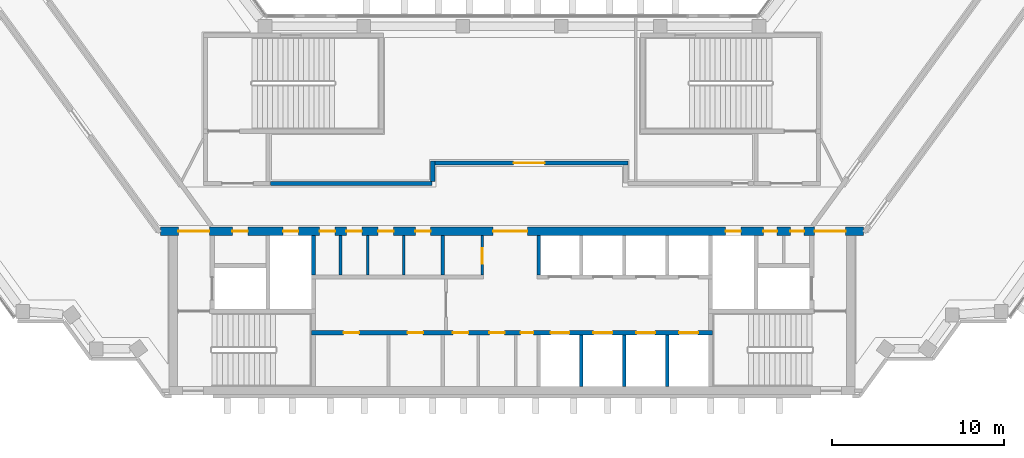
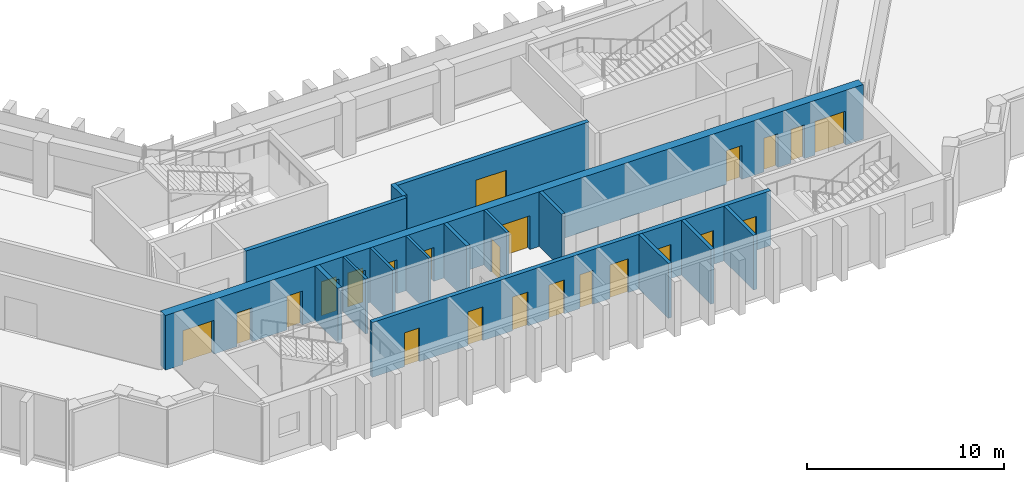
# One storey, part 8 of 13: 23 doors, 15 walls, 23 openings.
"""IFC4 building model written with IfcOpenShell, lengths in metres."""

from ifc_helpers import new_model, si_unit, direction, frame, frame_2d, origin, place, context, subcontext, project, spatial, rectangle, extrude, material, layer, layer_set, type_object, element, fill, save


model = new_model("IFC4")

# Units and contexts
model_context = context("Model", 3, precision=1e-05, world=origin(), true_north=direction((0.0, 1.0)))
body_context = subcontext(model_context, "Body", "Model", "MODEL_VIEW")
ifc_project = project(units=[si_unit("LENGTHUNIT", "METRE"), si_unit("AREAUNIT", "SQUARE_METRE"), si_unit("VOLUMEUNIT", "CUBIC_METRE"), si_unit("PLANEANGLEUNIT", "RADIAN"), si_unit("MASSUNIT", "GRAM", prefix="KILO")], contexts=[model_context])

# Site, building, storey
site_placement = place(None, origin())
site = spatial("IfcSite", under=ifc_project, at=site_placement, CompositionType="ELEMENT")
building_placement = place(site_placement, origin())
building = spatial("IfcBuilding", under=site, at=building_placement, Name="Quipu Civic Tower", CompositionType="ELEMENT")
storey_placement = place(building_placement, frame((0.0, 0.0, 184.0)))
storey = spatial("IfcBuildingStorey", under=building, at=storey_placement, Name="L43", CompositionType="ELEMENT", Elevation=184.0)

# Wall, openings, doors
ifc_material_1 = material(Name="Concrete C70/85", Category="concrete")
ifc_layer_1 = layer(ifc_material_1, 0.25)
ifc_layer_set_1 = layer_set([ifc_layer_1], Name="Concrete C70/85")
wall_type_1 = type_object("IfcWallType", Name="Core wall 250", PredefinedType="SHEAR", material=ifc_layer_set_1)
wall_1_placement = place(storey_placement, frame((11.699951171875, -7.375, 0.0), z_axis=(0.0, 0.0, 1.0), x_axis=(-1.0, 0.0, 0.0)))
wall_1 = element("IfcWall", 1, at=wall_1_placement, inside=storey, type_object=wall_type_1, Name="Core wall", PredefinedType="SHEAR", context=body_context, shape_type="SweptSolid", body=[
    extrude(rectangle(XDim=23.39990234375, YDim=0.25, at=frame_2d((11.699951171875, 0.0))), origin(), (0.0, 0.0, 1.0), 3.39990234375),
])
opening_1_placement = place(wall_1_placement, frame((20.613037109375, 0.0, 0.0)))
opening_1 = element("IfcOpeningElement", 2, at=opening_1_placement, cuts=wall_1, Name="Opening CD-01", PredefinedType="OPENING", context=body_context, shape_type="SweptSolid", body=[
    extrude(rectangle(XDim=0.89990234375, YDim=2.10009765625, at=frame_2d((0.449951171875, 1.050048828125))), frame((0.0, 0.135009765625, 0.0), z_axis=(0.0, -1.0, 0.0), x_axis=(1.0, 0.0, 0.0)), (0.0, 0.0, 1.0), 0.27001953125),
])
opening_2_placement = place(wall_1_placement, frame((16.887939453125, 0.0, 0.0)))
opening_2 = element("IfcOpeningElement", 3, at=opening_2_placement, cuts=wall_1, Name="Opening CD-02", PredefinedType="OPENING", context=body_context, shape_type="SweptSolid", body=[
    extrude(rectangle(XDim=0.89990234375, YDim=2.10009765625, at=frame_2d((0.449951171875, 1.050048828125))), frame((0.0, 0.135009765625, 0.0), z_axis=(0.0, -1.0, 0.0), x_axis=(1.0, 0.0, 0.0)), (0.0, 0.0, 1.0), 0.27001953125),
])
opening_3_placement = place(wall_1_placement, frame((14.25, 0.0, 0.0)))
opening_3 = element("IfcOpeningElement", 4, at=opening_3_placement, cuts=wall_1, Name="Opening CD-03", PredefinedType="OPENING", context=body_context, shape_type="SweptSolid", body=[
    extrude(rectangle(XDim=0.89990234375, YDim=2.10009765625, at=frame_2d((0.449951171875, 1.050048828125))), frame((0.0, 0.135009765625, 0.0), z_axis=(0.0, -1.0, 0.0), x_axis=(1.0, 0.0, 0.0)), (0.0, 0.0, 1.0), 0.27001953125),
])
opening_4_placement = place(wall_1_placement, frame((12.125, 0.0, 0.0)))
opening_4 = element("IfcOpeningElement", 5, at=opening_4_placement, cuts=wall_1, Name="Opening CD-04", PredefinedType="OPENING", context=body_context, shape_type="SweptSolid", body=[
    extrude(rectangle(XDim=0.89990234375, YDim=2.10009765625, at=frame_2d((0.449951171875, 1.050048828125))), frame((0.0, 0.135009765625, 0.0), z_axis=(0.0, -1.0, 0.0), x_axis=(1.0, 0.0, 0.0)), (0.0, 0.0, 1.0), 0.27001953125),
])
opening_5_placement = place(wall_1_placement, frame((10.449951171875, 0.0, 0.0)))
opening_5 = element("IfcOpeningElement", 6, at=opening_5_placement, cuts=wall_1, Name="Opening CD-05", PredefinedType="OPENING", context=body_context, shape_type="SweptSolid", body=[
    extrude(rectangle(XDim=0.75, YDim=2.10009765625, at=frame_2d((0.375, 1.050048828125))), frame((0.0, 0.135009765625, 0.0), z_axis=(0.0, -1.0, 0.0), x_axis=(1.0, 0.0, 0.0)), (0.0, 0.0, 1.0), 0.27001953125),
])
opening_6_placement = place(wall_1_placement, frame((8.35009765625, 0.0, 0.0)))
opening_6 = element("IfcOpeningElement", 7, at=opening_6_placement, cuts=wall_1, Name="Opening LD-ML1", PredefinedType="OPENING", context=body_context, shape_type="SweptSolid", body=[
    extrude(rectangle(XDim=1.10009765625, YDim=2.10009765625, at=frame_2d((0.550048828125, 1.050048828125))), frame((0.0, 0.135009765625, 0.0), z_axis=(0.0, -1.0, 0.0), x_axis=(1.0, 0.0, 0.0)), (0.0, 0.0, 1.0), 0.27001953125),
])
opening_7_placement = place(wall_1_placement, frame((5.85009765625, 0.0, 0.0)))
opening_7 = element("IfcOpeningElement", 8, at=opening_7_placement, cuts=wall_1, Name="Opening LD-ML2", PredefinedType="OPENING", context=body_context, shape_type="SweptSolid", body=[
    extrude(rectangle(XDim=1.10009765625, YDim=2.10009765625, at=frame_2d((0.550048828125, 1.050048828125))), frame((0.0, 0.135009765625, 0.0), z_axis=(0.0, -1.0, 0.0), x_axis=(1.0, 0.0, 0.0)), (0.0, 0.0, 1.0), 0.27001953125),
])
opening_8_placement = place(wall_1_placement, frame((3.35009765625, 0.0, 0.0)))
opening_8 = element("IfcOpeningElement", 9, at=opening_8_placement, cuts=wall_1, Name="Opening LD-ML3", PredefinedType="OPENING", context=body_context, shape_type="SweptSolid", body=[
    extrude(rectangle(XDim=1.10009765625, YDim=2.10009765625, at=frame_2d((0.550048828125, 1.050048828125))), frame((0.0, 0.135009765625, 0.0), z_axis=(0.0, -1.0, 0.0), x_axis=(1.0, 0.0, 0.0)), (0.0, 0.0, 1.0), 0.27001953125),
])
opening_9_placement = place(wall_1_placement, frame((0.85009765625, 0.0, 0.0)))
opening_9 = element("IfcOpeningElement", 10, at=opening_9_placement, cuts=wall_1, Name="Opening LD-ML4", PredefinedType="OPENING", context=body_context, shape_type="SweptSolid", body=[
    extrude(rectangle(XDim=1.10009765625, YDim=2.10009765625, at=frame_2d((0.550048828125, 1.050048828125))), frame((0.0, 0.135009765625, 0.0), z_axis=(0.0, -1.0, 0.0), x_axis=(1.0, 0.0, 0.0)), (0.0, 0.0, 1.0), 0.27001953125),
])
ifc_material_2 = material(Name="Fire rated steel door", Category="steel")
door_type_1 = type_object("IfcDoorType", Name="Fire door FD60 750 x 2100", OperationType="NOTDEFINED", PredefinedType="DOOR", material=ifc_material_2)
door_1_placement = place(opening_5_placement, origin())
door_1 = element("IfcDoor", 11, at=door_1_placement, inside=storey, type_object=door_type_1, Name="Door", OperationType="SINGLE_SWING_LEFT", OverallHeight=2.10009765625, OverallWidth=0.75, PredefinedType="DOOR", context=body_context, shape_type="SweptSolid", body=[
    extrude(rectangle(XDim=0.75, YDim=2.10009765625, at=frame_2d((0.375, 1.050048828125))), frame((0.0, 0.02490234375, 0.0), z_axis=(0.0, -1.0, 0.0), x_axis=(1.0, 0.0, 0.0)), (0.0, 0.0, 1.0), 0.050048828125),
])
fill(opening_5, door_1)
ifc_material_3 = material(Name="Fire rated steel door", Category="steel")
door_type_2 = type_object("IfcDoorType", Name="Fire door FD60 900 x 2100", OperationType="NOTDEFINED", PredefinedType="DOOR", material=ifc_material_3)
door_2_placement = place(opening_1_placement, origin())
door_2 = element("IfcDoor", 12, at=door_2_placement, inside=storey, type_object=door_type_2, Name="Door", OperationType="SINGLE_SWING_RIGHT", OverallHeight=2.10009765625, OverallWidth=0.89990234375, PredefinedType="DOOR", context=body_context, shape_type="SweptSolid", body=[
    extrude(rectangle(XDim=0.89990234375, YDim=2.10009765625, at=frame_2d((0.449951171875, 1.050048828125))), frame((0.0, 0.02490234375, 0.0), z_axis=(0.0, -1.0, 0.0), x_axis=(1.0, 0.0, 0.0)), (0.0, 0.0, 1.0), 0.050048828125),
])
fill(opening_1, door_2)
door_3_placement = place(opening_2_placement, origin())
door_3 = element("IfcDoor", 13, at=door_3_placement, inside=storey, type_object=door_type_2, Name="Door", OperationType="SINGLE_SWING_RIGHT", OverallHeight=2.10009765625, OverallWidth=0.89990234375, PredefinedType="DOOR", context=body_context, shape_type="SweptSolid", body=[
    extrude(rectangle(XDim=0.89990234375, YDim=2.10009765625, at=frame_2d((0.449951171875, 1.050048828125))), frame((0.0, 0.02490234375, 0.0), z_axis=(0.0, -1.0, 0.0), x_axis=(1.0, 0.0, 0.0)), (0.0, 0.0, 1.0), 0.050048828125),
])
fill(opening_2, door_3)
door_4_placement = place(opening_3_placement, origin())
door_4 = element("IfcDoor", 14, at=door_4_placement, inside=storey, type_object=door_type_2, Name="WC door", OperationType="SINGLE_SWING_RIGHT", OverallHeight=2.10009765625, OverallWidth=0.89990234375, PredefinedType="DOOR", context=body_context, shape_type="SweptSolid", body=[
    extrude(rectangle(XDim=0.89990234375, YDim=2.10009765625, at=frame_2d((0.449951171875, 1.050048828125))), frame((0.0, 0.02490234375, 0.0), z_axis=(0.0, -1.0, 0.0), x_axis=(1.0, 0.0, 0.0)), (0.0, 0.0, 1.0), 0.050048828125),
])
fill(opening_3, door_4)
door_5_placement = place(opening_4_placement, origin())
door_5 = element("IfcDoor", 15, at=door_5_placement, inside=storey, type_object=door_type_2, Name="WC door", OperationType="SINGLE_SWING_RIGHT", OverallHeight=2.10009765625, OverallWidth=0.89990234375, PredefinedType="DOOR", context=body_context, shape_type="SweptSolid", body=[
    extrude(rectangle(XDim=0.89990234375, YDim=2.10009765625, at=frame_2d((0.449951171875, 1.050048828125))), frame((0.0, 0.02490234375, 0.0), z_axis=(0.0, -1.0, 0.0), x_axis=(1.0, 0.0, 0.0)), (0.0, 0.0, 1.0), 0.050048828125),
])
fill(opening_4, door_5)
ifc_material_4 = material(Name="Stainless steel", Category="steel")
door_type_3 = type_object("IfcDoorType", Name="Lift landing door 1100 x 2100", OperationType="DOUBLE_DOOR_SLIDING", PredefinedType="DOOR", material=ifc_material_4)
door_6_placement = place(opening_6_placement, origin())
door_6 = element("IfcDoor", 16, at=door_6_placement, inside=storey, type_object=door_type_3, Name="Landing door ML1", OperationType="DOUBLE_DOOR_SLIDING", OverallHeight=2.10009765625, OverallWidth=1.10009765625, PredefinedType="DOOR", context=body_context, shape_type="SweptSolid", body=[
    extrude(rectangle(XDim=1.10009765625, YDim=2.10009765625, at=frame_2d((0.550048828125, 1.050048828125))), frame((0.0, 0.02490234375, 0.0), z_axis=(0.0, -1.0, 0.0), x_axis=(1.0, 0.0, 0.0)), (0.0, 0.0, 1.0), 0.050048828125),
])
fill(opening_6, door_6)
door_7_placement = place(opening_7_placement, origin())
door_7 = element("IfcDoor", 17, at=door_7_placement, inside=storey, type_object=door_type_3, Name="Landing door ML2", OperationType="DOUBLE_DOOR_SLIDING", OverallHeight=2.10009765625, OverallWidth=1.10009765625, PredefinedType="DOOR", context=body_context, shape_type="SweptSolid", body=[
    extrude(rectangle(XDim=1.10009765625, YDim=2.10009765625, at=frame_2d((0.550048828125, 1.050048828125))), frame((0.0, 0.02490234375, 0.0), z_axis=(0.0, -1.0, 0.0), x_axis=(1.0, 0.0, 0.0)), (0.0, 0.0, 1.0), 0.050048828125),
])
fill(opening_7, door_7)
door_8_placement = place(opening_8_placement, origin())
door_8 = element("IfcDoor", 18, at=door_8_placement, inside=storey, type_object=door_type_3, Name="Landing door ML3", OperationType="DOUBLE_DOOR_SLIDING", OverallHeight=2.10009765625, OverallWidth=1.10009765625, PredefinedType="DOOR", context=body_context, shape_type="SweptSolid", body=[
    extrude(rectangle(XDim=1.10009765625, YDim=2.10009765625, at=frame_2d((0.550048828125, 1.050048828125))), frame((0.0, 0.02490234375, 0.0), z_axis=(0.0, -1.0, 0.0), x_axis=(1.0, 0.0, 0.0)), (0.0, 0.0, 1.0), 0.050048828125),
])
fill(opening_8, door_8)
door_9_placement = place(opening_9_placement, origin())
door_9 = element("IfcDoor", 19, at=door_9_placement, inside=storey, type_object=door_type_3, Name="Landing door ML4", OperationType="DOUBLE_DOOR_SLIDING", OverallHeight=2.10009765625, OverallWidth=1.10009765625, PredefinedType="DOOR", context=body_context, shape_type="SweptSolid", body=[
    extrude(rectangle(XDim=1.10009765625, YDim=2.10009765625, at=frame_2d((0.550048828125, 1.050048828125))), frame((0.0, 0.02490234375, 0.0), z_axis=(0.0, -1.0, 0.0), x_axis=(1.0, 0.0, 0.0)), (0.0, 0.0, 1.0), 0.050048828125),
])
fill(opening_9, door_9)

# Wall
wall_2_placement = place(storey_placement, frame((-11.574951171875, -4.0, 0.0), z_axis=(0.0, 0.0, 1.0), x_axis=(0.0, 1.0, 0.0)))
element("IfcWall", 20, at=wall_2_placement, inside=storey, type_object=wall_type_1, Name="Core wall", PredefinedType="SHEAR", context=body_context, shape_type="SweptSolid", body=[
    extrude(rectangle(XDim=2.300048828125, YDim=0.25, at=frame_2d((1.14990234375, 0.0))), origin(), (0.0, 0.0, 1.0), 3.39990234375),
])

# Wall, openings, doors
ifc_material_5 = material(Name="Concrete C70/85", Category="concrete")
ifc_layer_2 = layer(ifc_material_5, 0.5)
ifc_layer_set_2 = layer_set([ifc_layer_2], Name="Concrete C70/85")
wall_type_2 = type_object("IfcWallType", Name="Core wall 500", PredefinedType="SHEAR", material=ifc_layer_set_2)
wall_3_placement = place(storey_placement, frame((20.489990234375, -1.449951171875, 0.0), z_axis=(0.0, 0.0, 1.0), x_axis=(-1.0, 0.0, 0.0)))
wall_3 = element("IfcWall", 21, at=wall_3_placement, inside=storey, type_object=wall_type_2, Name="Core wall", PredefinedType="SHEAR", context=body_context, shape_type="SweptSolid", body=[
    extrude(rectangle(XDim=40.97998046875, YDim=0.5, at=frame_2d((20.489990234375, 0.0))), origin(), (0.0, 0.0, 1.0), 3.39990234375),
])
opening_10_placement = place(wall_3_placement, frame((38.139892578125, 0.0, 0.0)))
opening_10 = element("IfcOpeningElement", 22, at=opening_10_placement, cuts=wall_3, Name="Opening CD-10", PredefinedType="OPENING", context=body_context, shape_type="SweptSolid", body=[
    extrude(rectangle(XDim=1.800048828125, YDim=2.10009765625, at=frame_2d((0.89990234375, 1.050048828125))), frame((0.0, 0.260009765625, 0.0), z_axis=(0.0, -1.0, 0.0), x_axis=(1.0, 0.0, 0.0)), (0.0, 0.0, 1.0), 0.52001953125),
])
opening_11_placement = place(wall_3_placement, frame((35.889892578125, 0.0, 0.0)))
opening_11 = element("IfcOpeningElement", 23, at=opening_11_placement, cuts=wall_3, Name="Opening CD-11", PredefinedType="OPENING", context=body_context, shape_type="SweptSolid", body=[
    extrude(rectangle(XDim=0.89990234375, YDim=2.10009765625, at=frame_2d((0.449951171875, 1.050048828125))), frame((0.0, 0.260009765625, 0.0), z_axis=(0.0, -1.0, 0.0), x_axis=(1.0, 0.0, 0.0)), (0.0, 0.0, 1.0), 0.52001953125),
])
opening_12_placement = place(wall_3_placement, frame((32.93994140625, 0.0, 0.0)))
opening_12 = element("IfcOpeningElement", 24, at=opening_12_placement, cuts=wall_3, Name="Opening CD-12", PredefinedType="OPENING", context=body_context, shape_type="SweptSolid", body=[
    extrude(rectangle(XDim=0.89990234375, YDim=2.10009765625, at=frame_2d((0.449951171875, 1.050048828125))), frame((0.0, 0.260009765625, 0.0), z_axis=(0.0, -1.0, 0.0), x_axis=(1.0, 0.0, 0.0)), (0.0, 0.0, 1.0), 0.52001953125),
])
opening_13_placement = place(wall_3_placement, frame((30.802490234375, 0.0, 0.0)))
opening_13 = element("IfcOpeningElement", 25, at=opening_13_placement, cuts=wall_3, Name="Opening CD-13", PredefinedType="OPENING", context=body_context, shape_type="SweptSolid", body=[
    extrude(rectangle(XDim=0.89990234375, YDim=2.10009765625, at=frame_2d((0.449951171875, 1.050048828125))), frame((0.0, 0.260009765625, 0.0), z_axis=(0.0, -1.0, 0.0), x_axis=(1.0, 0.0, 0.0)), (0.0, 0.0, 1.0), 0.52001953125),
])
opening_14_placement = place(wall_3_placement, frame((29.239990234375, 0.0, 0.0)))
opening_14 = element("IfcOpeningElement", 26, at=opening_14_placement, cuts=wall_3, Name="Opening CD-14", PredefinedType="OPENING", context=body_context, shape_type="SweptSolid", body=[
    extrude(rectangle(XDim=0.89990234375, YDim=2.10009765625, at=frame_2d((0.449951171875, 1.050048828125))), frame((0.0, 0.260009765625, 0.0), z_axis=(0.0, -1.0, 0.0), x_axis=(1.0, 0.0, 0.0)), (0.0, 0.0, 1.0), 0.52001953125),
])
opening_15_placement = place(wall_3_placement, frame((27.389892578125, 0.0, 0.0)))
opening_15 = element("IfcOpeningElement", 27, at=opening_15_placement, cuts=wall_3, Name="Opening CD-15", PredefinedType="OPENING", context=body_context, shape_type="SweptSolid", body=[
    extrude(rectangle(XDim=0.89990234375, YDim=2.10009765625, at=frame_2d((0.449951171875, 1.050048828125))), frame((0.0, 0.260009765625, 0.0), z_axis=(0.0, -1.0, 0.0), x_axis=(1.0, 0.0, 0.0)), (0.0, 0.0, 1.0), 0.52001953125),
])
opening_16_placement = place(wall_3_placement, frame((25.2275390625, 0.0, 0.0)))
opening_16 = element("IfcOpeningElement", 28, at=opening_16_placement, cuts=wall_3, Name="Opening CD-16", PredefinedType="OPENING", context=body_context, shape_type="SweptSolid", body=[
    extrude(rectangle(XDim=0.89990234375, YDim=2.10009765625, at=frame_2d((0.449951171875, 1.050048828125))), frame((0.0, 0.260009765625, 0.0), z_axis=(0.0, -1.0, 0.0), x_axis=(1.0, 0.0, 0.0)), (0.0, 0.0, 1.0), 0.52001953125),
])
opening_17_placement = place(wall_3_placement, frame((19.590087890625, 0.0, 0.0)))
opening_17 = element("IfcOpeningElement", 29, at=opening_17_placement, cuts=wall_3, Name="Opening CD-17", PredefinedType="OPENING", context=body_context, shape_type="SweptSolid", body=[
    extrude(rectangle(XDim=2.0, YDim=2.10009765625, at=frame_2d((1.0, 1.050048828125))), frame((0.0, 0.260009765625, 0.0), z_axis=(0.0, -1.0, 0.0), x_axis=(1.0, 0.0, 0.0)), (0.0, 0.0, 1.0), 0.52001953125),
])
opening_18_placement = place(wall_3_placement, frame((7.139892578125, 0.0, 0.0)))
opening_18 = element("IfcOpeningElement", 30, at=opening_18_placement, cuts=wall_3, Name="Opening CD-18", PredefinedType="OPENING", context=body_context, shape_type="SweptSolid", body=[
    extrude(rectangle(XDim=0.89990234375, YDim=2.10009765625, at=frame_2d((0.449951171875, 1.050048828125))), frame((0.0, 0.260009765625, 0.0), z_axis=(0.0, -1.0, 0.0), x_axis=(1.0, 0.0, 0.0)), (0.0, 0.0, 1.0), 0.52001953125),
])
opening_19_placement = place(wall_3_placement, frame((5.027587890625, 0.0, 0.0)))
opening_19 = element("IfcOpeningElement", 31, at=opening_19_placement, cuts=wall_3, Name="Opening CD-19", PredefinedType="OPENING", context=body_context, shape_type="SweptSolid", body=[
    extrude(rectangle(XDim=0.800048828125, YDim=2.10009765625, at=frame_2d((0.39990234375, 1.050048828125))), frame((0.0, 0.260009765625, 0.0), z_axis=(0.0, -1.0, 0.0), x_axis=(1.0, 0.0, 0.0)), (0.0, 0.0, 1.0), 0.52001953125),
])
opening_20_placement = place(wall_3_placement, frame((3.452392578125, 0.0, 0.0)))
opening_20 = element("IfcOpeningElement", 32, at=opening_20_placement, cuts=wall_3, Name="Opening CD-20", PredefinedType="OPENING", context=body_context, shape_type="SweptSolid", body=[
    extrude(rectangle(XDim=0.800048828125, YDim=2.10009765625, at=frame_2d((0.39990234375, 1.050048828125))), frame((0.0, 0.260009765625, 0.0), z_axis=(0.0, -1.0, 0.0), x_axis=(1.0, 0.0, 0.0)), (0.0, 0.0, 1.0), 0.52001953125),
])
opening_21_placement = place(wall_3_placement, frame((1.0400390625, 0.0, 0.0)))
opening_21 = element("IfcOpeningElement", 33, at=opening_21_placement, cuts=wall_3, Name="Opening CD-21", PredefinedType="OPENING", context=body_context, shape_type="SweptSolid", body=[
    extrude(rectangle(XDim=1.800048828125, YDim=2.10009765625, at=frame_2d((0.89990234375, 1.050048828125))), frame((0.0, 0.260009765625, 0.0), z_axis=(0.0, -1.0, 0.0), x_axis=(1.0, 0.0, 0.0)), (0.0, 0.0, 1.0), 0.52001953125),
])
ifc_material_6 = material(Name="Fire rated steel door", Category="steel")
door_type_4 = type_object("IfcDoorType", Name="Fire door FD60 800 x 2100", OperationType="NOTDEFINED", PredefinedType="DOOR", material=ifc_material_6)
door_10_placement = place(opening_19_placement, origin())
door_10 = element("IfcDoor", 34, at=door_10_placement, inside=storey, type_object=door_type_4, Name="Door", OperationType="SINGLE_SWING_LEFT", OverallHeight=2.10009765625, OverallWidth=0.800048828125, PredefinedType="DOOR", context=body_context, shape_type="SweptSolid", body=[
    extrude(rectangle(XDim=0.800048828125, YDim=2.10009765625, at=frame_2d((0.39990234375, 1.050048828125))), frame((0.0, 0.02490234375, 0.0), z_axis=(0.0, -1.0, 0.0), x_axis=(1.0, 0.0, 0.0)), (0.0, 0.0, 1.0), 0.050048828125),
])
fill(opening_19, door_10)
door_11_placement = place(opening_20_placement, origin())
door_11 = element("IfcDoor", 35, at=door_11_placement, inside=storey, type_object=door_type_4, Name="Door", OperationType="SINGLE_SWING_LEFT", OverallHeight=2.10009765625, OverallWidth=0.800048828125, PredefinedType="DOOR", context=body_context, shape_type="SweptSolid", body=[
    extrude(rectangle(XDim=0.800048828125, YDim=2.10009765625, at=frame_2d((0.39990234375, 1.050048828125))), frame((0.0, 0.02490234375, 0.0), z_axis=(0.0, -1.0, 0.0), x_axis=(1.0, 0.0, 0.0)), (0.0, 0.0, 1.0), 0.050048828125),
])
fill(opening_20, door_11)
door_12_placement = place(opening_11_placement, origin())
door_12 = element("IfcDoor", 36, at=door_12_placement, inside=storey, type_object=door_type_2, Name="Door", OperationType="SINGLE_SWING_RIGHT", OverallHeight=2.10009765625, OverallWidth=0.89990234375, PredefinedType="DOOR", context=body_context, shape_type="SweptSolid", body=[
    extrude(rectangle(XDim=0.89990234375, YDim=2.10009765625, at=frame_2d((0.449951171875, 1.050048828125))), frame((0.0, 0.02490234375, 0.0), z_axis=(0.0, -1.0, 0.0), x_axis=(1.0, 0.0, 0.0)), (0.0, 0.0, 1.0), 0.050048828125),
])
fill(opening_11, door_12)
door_13_placement = place(opening_12_placement, origin())
door_13 = element("IfcDoor", 37, at=door_13_placement, inside=storey, type_object=door_type_2, Name="Riser door", OperationType="SINGLE_SWING_RIGHT", OverallHeight=2.10009765625, OverallWidth=0.89990234375, PredefinedType="DOOR", context=body_context, shape_type="SweptSolid", body=[
    extrude(rectangle(XDim=0.89990234375, YDim=2.10009765625, at=frame_2d((0.449951171875, 1.050048828125))), frame((0.0, 0.02490234375, 0.0), z_axis=(0.0, -1.0, 0.0), x_axis=(1.0, 0.0, 0.0)), (0.0, 0.0, 1.0), 0.050048828125),
])
fill(opening_12, door_13)
door_14_placement = place(opening_13_placement, origin())
door_14 = element("IfcDoor", 38, at=door_14_placement, inside=storey, type_object=door_type_2, Name="Door", OperationType="SINGLE_SWING_RIGHT", OverallHeight=2.10009765625, OverallWidth=0.89990234375, PredefinedType="DOOR", context=body_context, shape_type="SweptSolid", body=[
    extrude(rectangle(XDim=0.89990234375, YDim=2.10009765625, at=frame_2d((0.449951171875, 1.050048828125))), frame((0.0, 0.02490234375, 0.0), z_axis=(0.0, -1.0, 0.0), x_axis=(1.0, 0.0, 0.0)), (0.0, 0.0, 1.0), 0.050048828125),
])
fill(opening_13, door_14)
door_15_placement = place(opening_14_placement, origin())
door_15 = element("IfcDoor", 39, at=door_15_placement, inside=storey, type_object=door_type_2, Name="Door", OperationType="SINGLE_SWING_RIGHT", OverallHeight=2.10009765625, OverallWidth=0.89990234375, PredefinedType="DOOR", context=body_context, shape_type="SweptSolid", body=[
    extrude(rectangle(XDim=0.89990234375, YDim=2.10009765625, at=frame_2d((0.449951171875, 1.050048828125))), frame((0.0, 0.02490234375, 0.0), z_axis=(0.0, -1.0, 0.0), x_axis=(1.0, 0.0, 0.0)), (0.0, 0.0, 1.0), 0.050048828125),
])
fill(opening_14, door_15)
door_16_placement = place(opening_15_placement, origin())
door_16 = element("IfcDoor", 40, at=door_16_placement, inside=storey, type_object=door_type_2, Name="Door", OperationType="SINGLE_SWING_RIGHT", OverallHeight=2.10009765625, OverallWidth=0.89990234375, PredefinedType="DOOR", context=body_context, shape_type="SweptSolid", body=[
    extrude(rectangle(XDim=0.89990234375, YDim=2.10009765625, at=frame_2d((0.449951171875, 1.050048828125))), frame((0.0, 0.02490234375, 0.0), z_axis=(0.0, -1.0, 0.0), x_axis=(1.0, 0.0, 0.0)), (0.0, 0.0, 1.0), 0.050048828125),
])
fill(opening_15, door_16)
door_17_placement = place(opening_16_placement, origin())
door_17 = element("IfcDoor", 41, at=door_17_placement, inside=storey, type_object=door_type_2, Name="Door", OperationType="SINGLE_SWING_RIGHT", OverallHeight=2.10009765625, OverallWidth=0.89990234375, PredefinedType="DOOR", context=body_context, shape_type="SweptSolid", body=[
    extrude(rectangle(XDim=0.89990234375, YDim=2.10009765625, at=frame_2d((0.449951171875, 1.050048828125))), frame((0.0, 0.02490234375, 0.0), z_axis=(0.0, -1.0, 0.0), x_axis=(1.0, 0.0, 0.0)), (0.0, 0.0, 1.0), 0.050048828125),
])
fill(opening_16, door_17)
door_18_placement = place(opening_18_placement, origin())
door_18 = element("IfcDoor", 42, at=door_18_placement, inside=storey, type_object=door_type_2, Name="Riser door", OperationType="SINGLE_SWING_LEFT", OverallHeight=2.10009765625, OverallWidth=0.89990234375, PredefinedType="DOOR", context=body_context, shape_type="SweptSolid", body=[
    extrude(rectangle(XDim=0.89990234375, YDim=2.10009765625, at=frame_2d((0.449951171875, 1.050048828125))), frame((0.0, 0.02490234375, 0.0), z_axis=(0.0, -1.0, 0.0), x_axis=(1.0, 0.0, 0.0)), (0.0, 0.0, 1.0), 0.050048828125),
])
fill(opening_18, door_18)
ifc_material_7 = material(Name="Fire rated steel door", Category="steel")
door_type_5 = type_object("IfcDoorType", Name="Fire door FD90 double 1800 x 2100", OperationType="NOTDEFINED", PredefinedType="DOOR", material=ifc_material_7)
door_19_placement = place(opening_10_placement, origin())
door_19 = element("IfcDoor", 43, at=door_19_placement, inside=storey, type_object=door_type_5, Name="Lobby door", OperationType="DOUBLE_DOOR_SINGLE_SWING", OverallHeight=2.10009765625, OverallWidth=1.800048828125, PredefinedType="DOOR", context=body_context, shape_type="SweptSolid", body=[
    extrude(rectangle(XDim=1.800048828125, YDim=2.10009765625, at=frame_2d((0.89990234375, 1.050048828125))), frame((0.0, 0.02490234375, 0.0), z_axis=(0.0, -1.0, 0.0), x_axis=(1.0, 0.0, 0.0)), (0.0, 0.0, 1.0), 0.050048828125),
])
fill(opening_10, door_19)
door_20_placement = place(opening_21_placement, origin())
door_20 = element("IfcDoor", 44, at=door_20_placement, inside=storey, type_object=door_type_5, Name="Lobby door", OperationType="DOUBLE_DOOR_SINGLE_SWING", OverallHeight=2.10009765625, OverallWidth=1.800048828125, PredefinedType="DOOR", context=body_context, shape_type="SweptSolid", body=[
    extrude(rectangle(XDim=1.800048828125, YDim=2.10009765625, at=frame_2d((0.89990234375, 1.050048828125))), frame((0.0, 0.02490234375, 0.0), z_axis=(0.0, -1.0, 0.0), x_axis=(1.0, 0.0, 0.0)), (0.0, 0.0, 1.0), 0.050048828125),
])
fill(opening_21, door_20)
ifc_material_8 = material(Name="Fire rated steel door", Category="steel")
door_type_6 = type_object("IfcDoorType", Name="Fire door FD90 double 2000 x 2100", OperationType="NOTDEFINED", PredefinedType="DOOR", material=ifc_material_8)
door_21_placement = place(opening_17_placement, origin())
door_21 = element("IfcDoor", 45, at=door_21_placement, inside=storey, type_object=door_type_6, Name="Lobby door", OperationType="DOUBLE_DOOR_SINGLE_SWING", OverallHeight=2.10009765625, OverallWidth=2.0, PredefinedType="DOOR", context=body_context, shape_type="SweptSolid", body=[
    extrude(rectangle(XDim=2.0, YDim=2.10009765625, at=frame_2d((1.0, 1.050048828125))), frame((0.0, 0.02490234375, 0.0), z_axis=(0.0, -1.0, 0.0), x_axis=(1.0, 0.0, 0.0)), (0.0, 0.0, 1.0), 0.050048828125),
])
fill(opening_17, door_21)

# Walls
ifc_material_9 = material(Name="Concrete C50/60", Category="concrete")
ifc_layer_3 = layer(ifc_material_9, 0.25)
ifc_layer_set_3 = layer_set([ifc_layer_3], Name="Concrete C50/60")
wall_type_3 = type_object("IfcWallType", Name="Corridor wall 250 concrete", PredefinedType="SOLIDWALL", material=ifc_layer_set_3)
wall_4_placement = place(storey_placement, frame((-14.090087890625, 1.324951171875, 0.0), z_axis=(0.0, 0.0, 1.0), x_axis=(1.0, 0.0, 0.0)))
element("IfcWall", 46, at=wall_4_placement, inside=storey, type_object=wall_type_3, Name="Corridor wall C07", PredefinedType="SOLIDWALL", context=body_context, shape_type="SweptSolid", body=[
    extrude(rectangle(XDim=9.431396484375, YDim=0.25, at=frame_2d((4.7158203125, 0.0))), origin(), (0.0, 0.0, 1.0), 3.39990234375),
])
wall_5_placement = place(storey_placement, frame((-4.625, 1.45361328125, 0.0), z_axis=(0.0, 0.0, 1.0), x_axis=(0.0, 1.0, 0.0)))
element("IfcWall", 47, at=wall_5_placement, inside=storey, type_object=wall_type_3, Name="Corridor wall C08", PredefinedType="SOLIDWALL", context=body_context, shape_type="SweptSolid", body=[
    extrude(rectangle(XDim=1.1962890625, YDim=0.25, at=frame_2d((0.59814453125, 0.0))), origin(), (0.0, 0.0, 1.0), 3.39990234375),
])

# Wall, opening, door
wall_6_placement = place(storey_placement, frame((-4.5, 2.52490234375, 0.0), z_axis=(0.0, 0.0, 1.0), x_axis=(1.0, 0.0, 0.0)))
wall_6 = element("IfcWall", 48, at=wall_6_placement, inside=storey, type_object=wall_type_3, Name="Corridor wall C09", PredefinedType="SOLIDWALL", context=body_context, shape_type="SweptSolid", body=[
    extrude(rectangle(XDim=11.25, YDim=0.25, at=frame_2d((5.625, 0.0))), origin(), (0.0, 0.0, 1.0), 3.39990234375),
])
opening_22_placement = place(wall_6_placement, frame((4.60009765625, 0.0, 0.0)))
opening_22 = element("IfcOpeningElement", 49, at=opening_22_placement, cuts=wall_6, Name="Opening D006", PredefinedType="OPENING", context=body_context, shape_type="SweptSolid", body=[
    extrude(rectangle(XDim=1.800048828125, YDim=2.10009765625, at=frame_2d((0.89990234375, 1.050048828125))), frame((0.0, 0.135009765625, 0.0), z_axis=(0.0, -1.0, 0.0), x_axis=(1.0, 0.0, 0.0)), (0.0, 0.0, 1.0), 0.27001953125),
])
ifc_material_10 = material(Name="Fire rated timber door set with metal frame", Category="wood")
door_type_7 = type_object("IfcDoorType", Name="Double door 1800 x 2100 FD60", OperationType="DOUBLE_DOOR_SINGLE_SWING", PredefinedType="DOOR", material=ifc_material_10)
door_22_placement = place(opening_22_placement, origin())
door_22 = element("IfcDoor", 50, at=door_22_placement, inside=storey, type_object=door_type_7, Name="Door D006", OperationType="DOUBLE_DOOR_SINGLE_SWING", OverallHeight=2.10009765625, OverallWidth=1.800048828125, PredefinedType="DOOR", context=body_context, shape_type="SweptSolid", body=[
    extrude(rectangle(XDim=1.800048828125, YDim=2.10009765625, at=frame_2d((0.89990234375, 1.050048828125))), frame((0.0, 0.02490234375, 0.0), z_axis=(0.0, -1.0, 0.0), x_axis=(1.0, 0.0, 0.0)), (0.0, 0.0, 1.0), 0.050048828125),
])
fill(opening_22, door_22)

# Walls
ifc_material_11 = material(Name="Gypsum board partition")
ifc_layer_4 = layer(ifc_material_11, 0.14990234375)
ifc_layer_set_4 = layer_set([ifc_layer_4], Name="Gypsum board partition")
wall_type_4 = type_object("IfcWallType", Name="Partition 150", PredefinedType="PARTITIONING", material=ifc_layer_set_4)
for number, where, z_axis, x_axis, name in (
    (51, (-10.0, -4.0, 0.0), (0.0, 0.0, 1.0), (0.0, 1.0, 0.0), "Partition"),
    (52, (-8.39990234375, -4.0, 0.0), (0.0, 0.0, 1.0), (0.0, 1.0, 0.0), "Partition"),
    (53, (-6.300048828125, -4.0, 0.0), (0.0, 0.0, 1.0), (0.0, 1.0, 0.0), "Partition"),
):
    element("IfcWall", number, at=place(storey_placement, frame(where, z_axis=z_axis, x_axis=x_axis)), inside=storey, type_object=wall_type_4, Name=name, PredefinedType="PARTITIONING", context=body_context, shape_type="SweptSolid", body=[
        extrude(rectangle(XDim=2.300048828125, YDim=0.14990234375, at=frame_2d((1.14990234375, 0.0))), origin(), (0.0, 0.0, 1.0), 3.39990234375),
    ])

# Wall, opening, door
wall_7_placement = place(storey_placement, frame((-1.72509765625, -1.699951171875, 0.0), z_axis=(0.0, 0.0, 1.0), x_axis=(0.0, -1.0, 0.0)))
wall_7 = element("IfcWall", 54, at=wall_7_placement, inside=storey, type_object=wall_type_4, Name="Partition", PredefinedType="PARTITIONING", context=body_context, shape_type="SweptSolid", body=[
    extrude(rectangle(XDim=2.300048828125, YDim=0.14990234375, at=frame_2d((1.14990234375, 0.0))), origin(), (0.0, 0.0, 1.0), 3.39990234375),
])
opening_23_placement = place(wall_7_placement, frame((0.75, 0.0, 0.0)))
opening_23 = element("IfcOpeningElement", 55, at=opening_23_placement, cuts=wall_7, Name="Opening CD-09", PredefinedType="OPENING", context=body_context, shape_type="SweptSolid", body=[
    extrude(rectangle(XDim=0.89990234375, YDim=2.10009765625, at=frame_2d((0.449951171875, 1.050048828125))), frame((0.0, 0.0849609375, 0.0), z_axis=(0.0, -1.0, 0.0), x_axis=(1.0, 0.0, 0.0)), (0.0, 0.0, 1.0), 0.169921875),
])
door_23_placement = place(opening_23_placement, origin())
door_23 = element("IfcDoor", 56, at=door_23_placement, inside=storey, type_object=door_type_2, Name="WC door", OperationType="SINGLE_SWING_RIGHT", OverallHeight=2.10009765625, OverallWidth=0.89990234375, PredefinedType="DOOR", context=body_context, shape_type="SweptSolid", body=[
    extrude(rectangle(XDim=0.89990234375, YDim=2.10009765625, at=frame_2d((0.449951171875, 1.050048828125))), frame((0.0, 0.02490234375, 0.0), z_axis=(0.0, -1.0, 0.0), x_axis=(1.0, 0.0, 0.0)), (0.0, 0.0, 1.0), 0.050048828125),
])
fill(opening_23, door_23)

# Walls
ifc_material_12 = material(Name="Concrete C40/50", Category="concrete")
ifc_layer_5 = layer(ifc_material_12, 0.199951171875)
ifc_layer_set_5 = layer_set([ifc_layer_5], Name="Concrete C40/50")
wall_type_5 = type_object("IfcWallType", Name="Shaft wall 200", PredefinedType="SOLIDWALL", material=ifc_layer_set_5)
for number, where, z_axis, x_axis, name in (
    (57, (4.050048828125, -10.5, 0.0), (0.0, 0.0, 1.0), (0.0, 1.0, 0.0), "Shaft wall"),
    (58, (6.550048828125, -10.5, 0.0), (0.0, 0.0, 1.0), (0.0, 1.0, 0.0), "Shaft wall"),
    (59, (9.050048828125, -10.5, 0.0), (0.0, 0.0, 1.0), (0.0, 1.0, 0.0), "Shaft wall"),
):
    element("IfcWall", number, at=place(storey_placement, frame(where, z_axis=z_axis, x_axis=x_axis)), inside=storey, type_object=wall_type_5, Name=name, PredefinedType="SOLIDWALL", context=body_context, shape_type="SweptSolid", body=[
        extrude(rectangle(XDim=3.0, YDim=0.199951171875, at=frame_2d((1.5, 0.0))), origin(), (0.0, 0.0, 1.0), 3.39990234375),
    ])
for number, where, z_axis, x_axis, name in (
    (60, (-4.050048828125, -4.0, 0.0), (0.0, 0.0, 1.0), (0.0, 1.0, 0.0), "Shaft wall"),
    (61, (1.550048828125, -4.0, 0.0), (0.0, 0.0, 1.0), (0.0, 1.0, 0.0), "Shaft wall"),
):
    element("IfcWall", number, at=place(storey_placement, frame(where, z_axis=z_axis, x_axis=x_axis)), inside=storey, type_object=wall_type_5, Name=name, PredefinedType="SOLIDWALL", context=body_context, shape_type="SweptSolid", body=[
        extrude(rectangle(XDim=2.300048828125, YDim=0.199951171875, at=frame_2d((1.14990234375, 0.0))), origin(), (0.0, 0.0, 1.0), 3.39990234375),
    ])

save(model, "model.ifc")
